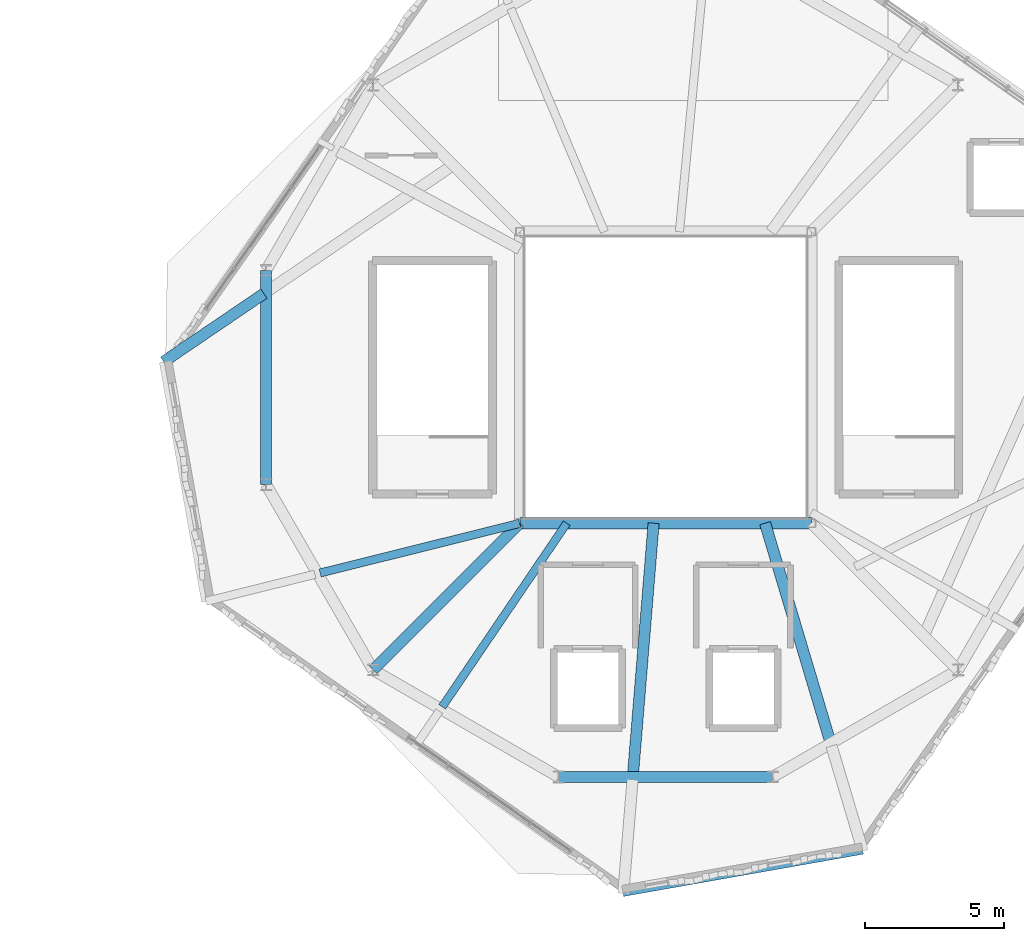
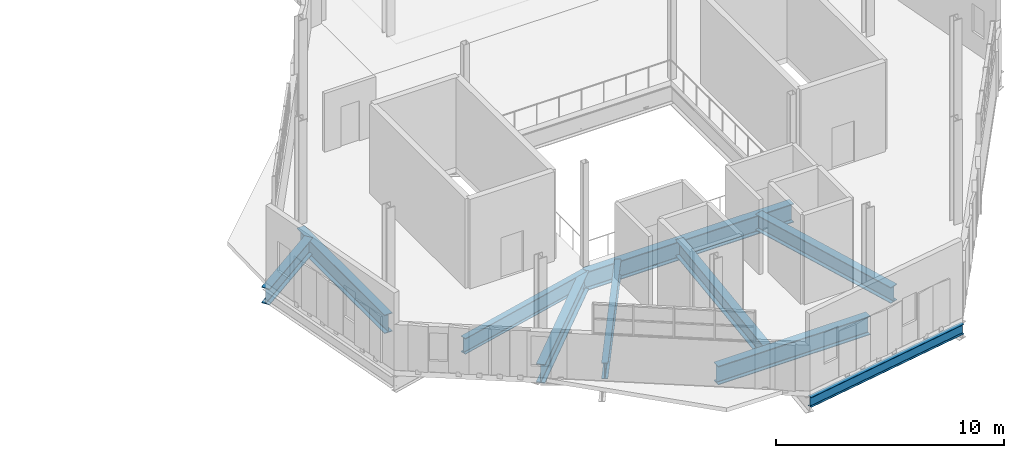
# One storey, part 6 of 36: 10 beams.
"""IFC4 building model written with IfcOpenShell, lengths in metres."""

from ifc_helpers import new_model, si_unit, direction, frame, origin, origin_2d, place, context, subcontext, project, spatial, i_section, extrude, material, material_profile, profile_set, type_object, element, save


model = new_model("IFC4")

# Units and contexts
model_context = context("Model", 3, precision=1e-05, world=origin(), true_north=direction((0.0, 1.0)))
body_context = subcontext(model_context, "Body", "Model", "MODEL_VIEW")
ifc_project = project(units=[si_unit("LENGTHUNIT", "METRE"), si_unit("AREAUNIT", "SQUARE_METRE"), si_unit("VOLUMEUNIT", "CUBIC_METRE"), si_unit("PLANEANGLEUNIT", "RADIAN"), si_unit("MASSUNIT", "GRAM", prefix="KILO"), si_unit("THERMODYNAMICTEMPERATUREUNIT", "KELVIN"), si_unit("POWERUNIT", "WATT")], contexts=[model_context])

# Site, building, storey
site_placement = place(None, origin())
site = spatial("IfcSite", under=ifc_project, at=site_placement, CompositionType="ELEMENT")
building_placement = place(site_placement, origin())
building = spatial("IfcBuilding", under=site, at=building_placement, Name="Zelmaris Science Centre", CompositionType="ELEMENT")
storey_placement = place(building_placement, frame((0.0, 0.0, 25.199951171875)))
storey = spatial("IfcBuildingStorey", under=building, at=storey_placement, Name="L05", CompositionType="ELEMENT", Elevation=25.199951171875)

# Beams
ifc_material = material(Name="Steel ASTM A992 Grade 50", Category="steel")
ifc_material_profile_1 = material_profile(ifc_material, i_section(OverallWidth=0.40087890625, OverallDepth=0.85595703125, WebThickness=0.018310546875, FlangeThickness=0.029296875, FilletRadius=0.02001953125, at=origin_2d()), Name="W33X201")
ifc_profile_set_1 = profile_set([ifc_material_profile_1], Name="Steel ASTM A992 Grade 50")
beam_type_1 = type_object("IfcBeamType", Name="Beam G-05 W33X201", PredefinedType="BEAM", material=ifc_profile_set_1)
beam_1_placement = place(storey_placement, frame((80.569091796875, 30.75, -0.7080078125), z_axis=(-0.081756740204, -0.996652314216, 0.0), x_axis=(0.996652314216, -0.081756740204, 0.0)))
element("IfcBeam", 1, at=beam_1_placement, inside=storey, type_object=beam_type_1, Name="L05 Overhang back-span girder 12", PredefinedType="BEAM", context=body_context, shape_type="SweptSolid", body=[
    extrude(i_section(OverallWidth=0.40087890625, OverallDepth=0.85595703125, WebThickness=0.018310546875, FlangeThickness=0.029296875, FilletRadius=0.02001953125, at=origin_2d()), origin(), (0.0, 0.0, 1.0), 9.077880859375),
])
ifc_material_profile_2 = material_profile(ifc_material, i_section(OverallWidth=0.294921875, OverallDepth=0.85107421875, WebThickness=0.01611328125, FlangeThickness=0.02685546875, FilletRadius=0.02001953125, at=origin_2d()), Name="W33X152")
ifc_profile_set_2 = profile_set([ifc_material_profile_2], Name="Steel ASTM A992 Grade 50")
beam_type_2 = type_object("IfcBeamType", Name="Beam G-06 W33X152", PredefinedType="BEAM", material=ifc_profile_set_2)
beam_2_placement = place(storey_placement, frame((75.745849609375, 30.745849609375, -0.70556640625), z_axis=(-0.970388084143, -0.241551166741, 0.0), x_axis=(0.241551166741, -0.970388084143, 0.0)))
element("IfcBeam", 2, at=beam_2_placement, inside=storey, type_object=beam_type_2, Name="L05 Overhang back-span girder 10", PredefinedType="BEAM", context=body_context, shape_type="SweptSolid", body=[
    extrude(i_section(OverallWidth=0.294921875, OverallDepth=0.85107421875, WebThickness=0.01611328125, FlangeThickness=0.02685546875, FilletRadius=0.02001953125, at=origin_2d()), origin(), (0.0, 0.0, 1.0), 7.41162109375),
])
ifc_material_profile_3 = material_profile(ifc_material, i_section(OverallWidth=0.40087890625, OverallDepth=1.0009765625, WebThickness=0.01904296875, FlangeThickness=0.0361328125, FilletRadius=0.02490234375, at=origin_2d()), Name="W40X249")
ifc_profile_set_3 = profile_set([ifc_material_profile_3], Name="Steel ASTM A992 Grade 50")
beam_type_3 = type_object("IfcBeamType", Name="Beam G-22 W40X249", PredefinedType="BEAM", material=ifc_profile_set_3)
for number, where, z_axis, x_axis, name in (
    (3, (66.607666015625, 39.8564453125, -0.780517578125), (0.0, -1.0, 0.0), (1.0, 0.0, 0.0), "L05 Exhibition inner ring girder 6"),
    (4, (77.1435546875, 21.607666015625, -0.780517578125), (1.0, 0.0, 0.0), (0.0, 1.0, 0.0), "L05 Exhibition inner ring girder 9"),
):
    element("IfcBeam", number, at=place(storey_placement, frame(where, z_axis=z_axis, x_axis=x_axis)), inside=storey, type_object=beam_type_3, Name=name, PredefinedType="BEAM", context=body_context, shape_type="SweptSolid", body=[
        extrude(i_section(OverallWidth=0.40087890625, OverallDepth=1.0009765625, WebThickness=0.01904296875, FlangeThickness=0.0361328125, FilletRadius=0.02490234375, at=origin_2d()), origin(), (0.0, 0.0, 1.0), 7.712890625),
    ])
beam_3_placement = place(storey_placement, frame((75.75, 30.75, -0.780517578125), z_axis=(1.0, 0.0, 0.0), x_axis=(0.0, 1.0, 0.0)))
element("IfcBeam", 5, at=beam_3_placement, inside=storey, type_object=beam_type_3, Name="L05 Atrium framing girder 1", PredefinedType="BEAM", context=body_context, shape_type="SweptSolid", body=[
    extrude(i_section(OverallWidth=0.40087890625, OverallDepth=1.0009765625, WebThickness=0.01904296875, FlangeThickness=0.0361328125, FilletRadius=0.02490234375, at=origin_2d()), origin(), (0.0, 0.0, 1.0), 10.5),
])
beam_4_placement = place(storey_placement, frame((75.75, 30.75, -0.780517578125), z_axis=(-0.707106781187, -0.707106781187, 0.0), x_axis=(0.707106781187, -0.707106781187, 0.0)))
element("IfcBeam", 6, at=beam_4_placement, inside=storey, type_object=beam_type_3, Name="L05 Atrium diagonal header girder 1", PredefinedType="BEAM", context=body_context, shape_type="SweptSolid", body=[
    extrude(i_section(OverallWidth=0.40087890625, OverallDepth=1.0009765625, WebThickness=0.01904296875, FlangeThickness=0.0361328125, FilletRadius=0.02490234375, at=origin_2d()), origin(), (0.0, 0.0, 1.0), 7.475341796875),
])
ifc_material_profile_4 = material_profile(ifc_material, i_section(OverallWidth=0.404052734375, OverallDepth=0.861083984375, WebThickness=0.019775390625, FlangeThickness=0.032470703125, FilletRadius=0.02001953125, at=origin_2d()), Name="W33X221")
ifc_profile_set_4 = profile_set([ifc_material_profile_4], Name="Steel ASTM A992 Grade 50")
beam_type_4 = type_object("IfcBeamType", Name="Beam G-28 W33X221", PredefinedType="BEAM", material=ifc_profile_set_4)
beam_5_placement = place(storey_placement, frame((84.583251953125, 30.75, -0.71044921875), z_axis=(0.285836840734, -0.958278300119, 0.0), x_axis=(0.958278300119, 0.285836840734, 0.0)))
element("IfcBeam", 7, at=beam_5_placement, inside=storey, type_object=beam_type_4, Name="L05 Overhang back-span girder 1", PredefinedType="BEAM", context=body_context, shape_type="SweptSolid", body=[
    extrude(i_section(OverallWidth=0.404052734375, OverallDepth=0.861083984375, WebThickness=0.019775390625, FlangeThickness=0.032470703125, FilletRadius=0.02001953125, at=origin_2d()), origin(), (0.0, 0.0, 1.0), 8.184326171875),
])
beam_6_placement = place(storey_placement, frame((66.529052734375, 39.02001953125, -0.71044921875), z_axis=(-0.827050318446, -0.562127895375, 0.0), x_axis=(0.562127895375, -0.827050318446, 0.0)))
element("IfcBeam", 8, at=beam_6_placement, inside=storey, type_object=beam_type_4, Name="L05 Radial overhang girder 9", PredefinedType="BEAM", context=body_context, shape_type="SweptSolid", body=[
    extrude(i_section(OverallWidth=0.404052734375, OverallDepth=0.861083984375, WebThickness=0.019775390625, FlangeThickness=0.032470703125, FilletRadius=0.02001953125, at=origin_2d()), origin(), (0.0, 0.0, 1.0), 4.363525390625),
])
ifc_material_profile_5 = material_profile(ifc_material, i_section(OverallWidth=0.2919921875, OverallDepth=0.85888671875, WebThickness=0.01708984375, FlangeThickness=0.031005859375, FilletRadius=0.02001953125, at=origin_2d()), Name="W33X169")
ifc_profile_set_5 = profile_set([ifc_material_profile_5], Name="Steel ASTM A992 Grade 50")
beam_type_5 = type_object("IfcBeamType", Name="Beam G-29 W33X169", PredefinedType="BEAM", material=ifc_profile_set_5)
beam_7_placement = place(storey_placement, frame((77.439208984375, 30.75, -0.70947265625), z_axis=(-0.561323602371, -0.827596407327, 0.0), x_axis=(0.827596407327, -0.561323602371, 0.0)))
element("IfcBeam", 9, at=beam_7_placement, inside=storey, type_object=beam_type_5, Name="L05 Overhang back-span girder 11", PredefinedType="BEAM", context=body_context, shape_type="SweptSolid", body=[
    extrude(i_section(OverallWidth=0.2919921875, OverallDepth=0.85888671875, WebThickness=0.01708984375, FlangeThickness=0.031005859375, FilletRadius=0.02001953125, at=origin_2d()), origin(), (0.0, 0.0, 1.0), 7.991455078125),
])
ifc_material_profile_6 = material_profile(ifc_material, i_section(OverallWidth=0.2109375, OverallDepth=0.5380859375, WebThickness=0.01171875, FlangeThickness=0.018798828125, FilletRadius=0.013916015625, at=origin_2d()), Name="W21X73")
ifc_profile_set_6 = profile_set([ifc_material_profile_6], Name="Steel ASTM A992 Grade 50")
beam_type_6 = type_object("IfcBeamType", Name="Beam SP-02 W21X73", PredefinedType="SPANDREL", material=ifc_profile_set_6)
beam_8_placement = place(storey_placement, frame((79.474365234375, 17.4072265625, -0.549072265625), z_axis=(0.984809336973, 0.173639194339, 0.0), x_axis=(-0.173639194339, 0.984809336973, 0.0)))
element("IfcBeam", 10, at=beam_8_placement, inside=storey, type_object=beam_type_6, Name="L05 Rotated facade spandrel beam 4", PredefinedType="SPANDREL", context=body_context, shape_type="SweptSolid", body=[
    extrude(i_section(OverallWidth=0.2109375, OverallDepth=0.5380859375, WebThickness=0.01171875, FlangeThickness=0.018798828125, FilletRadius=0.013916015625, at=origin_2d()), origin(), (0.0, 0.0, 1.0), 8.76806640625),
])

save(model, "model.ifc")
